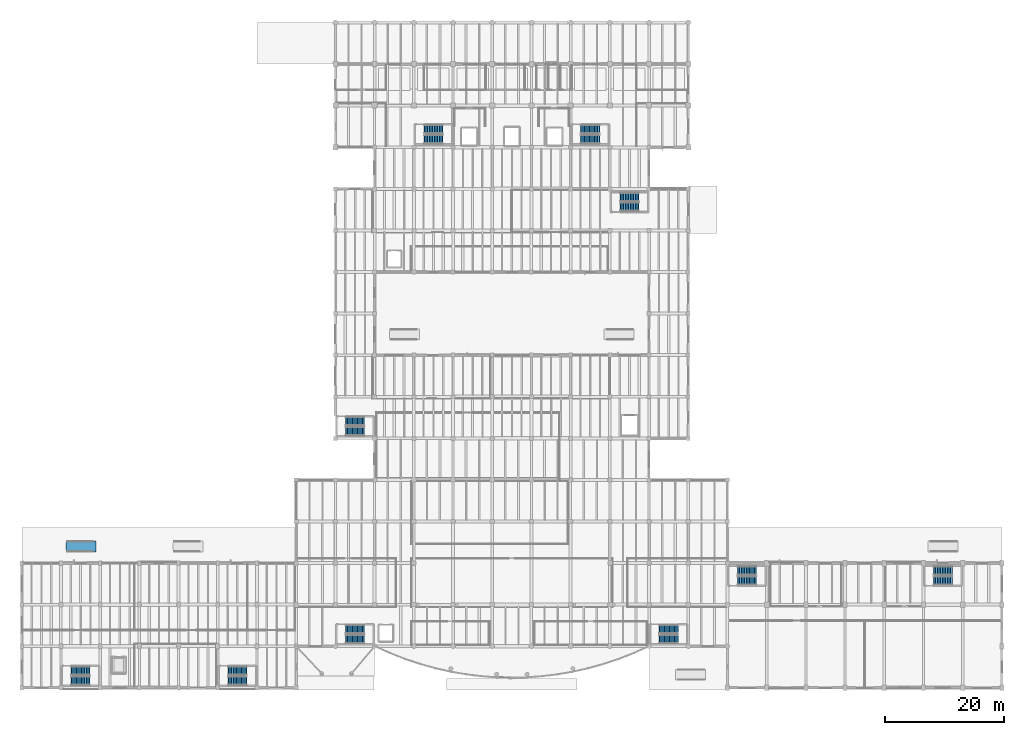
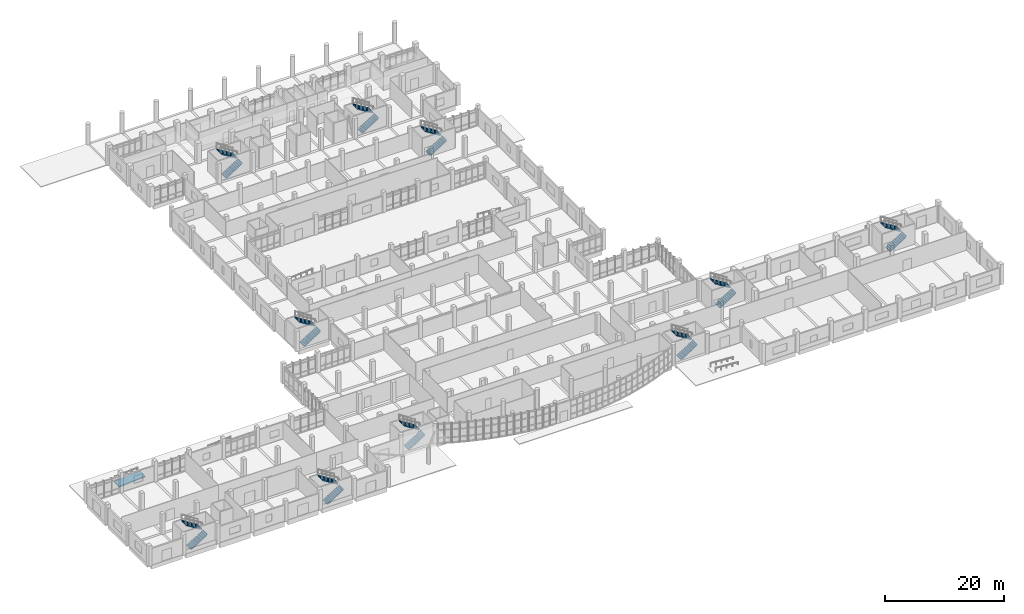
# One storey, part 53 of 69: 20 stair flights, 1 ramp flight, 11 elements without a shape of their own.
"""IFC4 building model written with IfcOpenShell, lengths in metres."""

from ifc_helpers import new_model, si_unit, direction, frame, origin, place, context, subcontext, project, spatial, polyline, outline, extrude, material, layer, layer_set, type_object, element, aggregate, save


model = new_model("IFC4")

# Units and contexts
model_context = context("Model", 3, precision=1e-05, world=origin(), true_north=direction((0.0, 1.0)))
body_context = subcontext(model_context, "Body", "Model", "MODEL_VIEW")
ifc_project = project(units=[si_unit("LENGTHUNIT", "METRE"), si_unit("AREAUNIT", "SQUARE_METRE"), si_unit("VOLUMEUNIT", "CUBIC_METRE"), si_unit("PLANEANGLEUNIT", "RADIAN"), si_unit("MASSUNIT", "GRAM", prefix="KILO")], contexts=[model_context])

# Site, building, storey
site_placement = place(None, origin())
site = spatial("IfcSite", under=ifc_project, at=site_placement, CompositionType="ELEMENT")
building_placement = place(site_placement, origin())
building = spatial("IfcBuilding", under=site, at=building_placement, Name="Ciguamira Faculty of Natural Sciences", CompositionType="ELEMENT")
storey_placement = place(building_placement, origin())
storey = spatial("IfcBuildingStorey", under=building, at=storey_placement, Name="L00", CompositionType="ELEMENT", Elevation=0.0)

# Stair, stair flights
ifc_material_1 = material(Name="Concrete C40/50", Category="concrete")
stair_type_1 = type_object("IfcStairType", Name="Stair_STR-01", PredefinedType="HALF_TURN_STAIR", material=ifc_material_1)
stair_1_placement = place(storey_placement, origin())
stair_1 = element("IfcStair", 1, at=stair_1_placement, inside=storey, type_object=stair_type_1, Name="L00 Tower West Exit Stair", PredefinedType="HALF_TURN_STAIR")
ifc_material_2 = material(Name="Precast concrete C40/50", Category="concrete")
stair_flight_type_1 = type_object("IfcStairFlightType", Name="StairFlight_SFL-01", PredefinedType="STRAIGHT", material=ifc_material_2)
stair_flight_1_placement = place(storey_placement, frame((72.260009765625, 95.35009765625, 0.0), z_axis=(0.0, 0.0, 1.0), x_axis=(1.0, 0.0, 0.0)))
stair_flight_1 = element("IfcStairFlight", 2, at=stair_flight_1_placement, type_object=stair_flight_type_1, Name="ST-T1 flight 1", NumberOfRisers=12, NumberOfTreads=11, PredefinedType="STRAIGHT", RiserHeight=0.175, TreadLength=0.28, context=body_context, shape_type="SweptSolid", body=[
    extrude(outline(polyline([(-0.080078125, -0.034912109375), (-0.080078125, 0.0), (0.0, 0.0), (0.0, 0.175048828125), (0.280029296875, 0.175048828125), (0.280029296875, 0.35009765625), (0.56005859375, 0.35009765625), (0.56005859375, 0.52490234375), (0.840087890625, 0.52490234375), (0.840087890625, 0.699951171875), (1.1201171875, 0.699951171875), (1.1201171875, 0.875), (1.39990234375, 0.875), (1.39990234375, 1.050048828125), (1.679931640625, 1.050048828125), (1.679931640625, 1.22509765625), (1.9599609375, 1.22509765625), (1.9599609375, 1.39990234375), (2.239990234375, 1.39990234375), (2.239990234375, 1.574951171875), (2.52001953125, 1.574951171875), (2.52001953125, 1.75), (2.800048828125, 1.75), (2.800048828125, 1.925048828125), (3.080078125, 1.925048828125), (3.080078125, 2.10009765625), (3.16015625, 2.10009765625), (3.16015625, 2.065185546875), (3.080078125, 1.748291015625), (0.28271484375, -0.034912109375), (-0.080078125, -0.034912109375)])), frame((0.0, 0.75, 0.0), z_axis=(0.0, -1.0, 0.0), x_axis=(1.0, 0.0, 0.0)), (0.0, 0.0, 1.0), 1.5),
])
stair_flight_2_placement = place(storey_placement, frame((75.340087890625, 97.010009765625, 2.10009765625), z_axis=(0.0, 0.0, 1.0), x_axis=(-1.0, 0.0, 0.0)))
stair_flight_2 = element("IfcStairFlight", 3, at=stair_flight_2_placement, type_object=stair_flight_type_1, Name="ST-T1 flight 2", NumberOfRisers=12, NumberOfTreads=11, PredefinedType="STRAIGHT", RiserHeight=0.175, TreadLength=0.28, context=body_context, shape_type="SweptSolid", body=[
    extrude(outline(polyline([(-0.080078125, -0.034912109375), (-0.080078125, 0.0), (0.0, 0.0), (0.0, 0.175048828125), (0.280029296875, 0.175048828125), (0.280029296875, 0.35009765625), (0.56005859375, 0.35009765625), (0.56005859375, 0.52490234375), (0.840087890625, 0.52490234375), (0.840087890625, 0.699951171875), (1.1201171875, 0.699951171875), (1.1201171875, 0.875), (1.39990234375, 0.875), (1.39990234375, 1.050048828125), (1.679931640625, 1.050048828125), (1.679931640625, 1.22509765625), (1.9599609375, 1.22509765625), (1.9599609375, 1.39990234375), (2.239990234375, 1.39990234375), (2.239990234375, 1.574951171875), (2.52001953125, 1.574951171875), (2.52001953125, 1.75), (2.800048828125, 1.75), (2.800048828125, 1.925048828125), (3.080078125, 1.925048828125), (3.080078125, 2.10009765625), (3.16015625, 2.10009765625), (3.16015625, 2.065185546875), (3.080078125, 1.748291015625), (0.28271484375, -0.034912109375), (-0.080078125, -0.034912109375)])), frame((0.0, 0.75, 0.0), z_axis=(0.0, -1.0, 0.0), x_axis=(1.0, 0.0, 0.0)), (0.0, 0.0, 1.0), 1.5),
])
aggregate(stair_1, [stair_flight_1, stair_flight_2])

stair_2_placement = place(storey_placement, origin())
stair_2 = element("IfcStair", 4, at=stair_2_placement, inside=storey, type_object=stair_type_1, Name="L00 Atrium West Exit Stair", PredefinedType="HALF_TURN_STAIR")
stair_flight_3_placement = place(storey_placement, frame((59.06005859375, 11.199951171875, 0.0), z_axis=(0.0, 0.0, 1.0), x_axis=(1.0, 0.0, 0.0)))
stair_flight_3 = element("IfcStairFlight", 5, at=stair_flight_3_placement, type_object=stair_flight_type_1, Name="ST-A1 flight 1", NumberOfRisers=12, NumberOfTreads=11, PredefinedType="STRAIGHT", RiserHeight=0.175, TreadLength=0.28, context=body_context, shape_type="SweptSolid", body=[
    extrude(outline(polyline([(-0.080078125, -0.034912109375), (-0.080078125, 0.0), (0.0, 0.0), (0.0, 0.175048828125), (0.280029296875, 0.175048828125), (0.280029296875, 0.35009765625), (0.56005859375, 0.35009765625), (0.56005859375, 0.52490234375), (0.840087890625, 0.52490234375), (0.840087890625, 0.699951171875), (1.1201171875, 0.699951171875), (1.1201171875, 0.875), (1.39990234375, 0.875), (1.39990234375, 1.050048828125), (1.679931640625, 1.050048828125), (1.679931640625, 1.22509765625), (1.9599609375, 1.22509765625), (1.9599609375, 1.39990234375), (2.239990234375, 1.39990234375), (2.239990234375, 1.574951171875), (2.52001953125, 1.574951171875), (2.52001953125, 1.75), (2.800048828125, 1.75), (2.800048828125, 1.925048828125), (3.080078125, 1.925048828125), (3.080078125, 2.10009765625), (3.16015625, 2.10009765625), (3.16015625, 2.065185546875), (3.080078125, 1.748291015625), (0.28271484375, -0.034912109375), (-0.080078125, -0.034912109375)])), frame((0.0, 0.75, 0.0), z_axis=(0.0, -1.0, 0.0), x_axis=(1.0, 0.0, 0.0)), (0.0, 0.0, 1.0), 1.5),
])
stair_flight_4_placement = place(storey_placement, frame((62.139892578125, 12.860107421875, 2.10009765625), z_axis=(0.0, 0.0, 1.0), x_axis=(-1.0, 0.0, 0.0)))
stair_flight_4 = element("IfcStairFlight", 6, at=stair_flight_4_placement, type_object=stair_flight_type_1, Name="ST-A1 flight 2", NumberOfRisers=12, NumberOfTreads=11, PredefinedType="STRAIGHT", RiserHeight=0.175, TreadLength=0.28, context=body_context, shape_type="SweptSolid", body=[
    extrude(outline(polyline([(-0.080078125, -0.034912109375), (-0.080078125, 0.0), (0.0, 0.0), (0.0, 0.175048828125), (0.280029296875, 0.175048828125), (0.280029296875, 0.35009765625), (0.56005859375, 0.35009765625), (0.56005859375, 0.52490234375), (0.840087890625, 0.52490234375), (0.840087890625, 0.699951171875), (1.1201171875, 0.699951171875), (1.1201171875, 0.875), (1.39990234375, 0.875), (1.39990234375, 1.050048828125), (1.679931640625, 1.050048828125), (1.679931640625, 1.22509765625), (1.9599609375, 1.22509765625), (1.9599609375, 1.39990234375), (2.239990234375, 1.39990234375), (2.239990234375, 1.574951171875), (2.52001953125, 1.574951171875), (2.52001953125, 1.75), (2.800048828125, 1.75), (2.800048828125, 1.925048828125), (3.080078125, 1.925048828125), (3.080078125, 2.10009765625), (3.16015625, 2.10009765625), (3.16015625, 2.065185546875), (3.080078125, 1.748291015625), (0.28271484375, -0.034912109375), (-0.080078125, -0.034912109375)])), frame((0.0, 0.75, 0.0), z_axis=(0.0, -1.0, 0.0), x_axis=(1.0, 0.0, 0.0)), (0.0, 0.0, 1.0), 1.5),
])
aggregate(stair_2, [stair_flight_3, stair_flight_4])

stair_3_placement = place(storey_placement, origin())
stair_3 = element("IfcStair", 7, at=stair_3_placement, inside=storey, type_object=stair_type_1, Name="L00 Commons West Exit Stair", PredefinedType="HALF_TURN_STAIR")
stair_flight_5_placement = place(storey_placement, frame((12.860107421875, 4.199951171875, 0.0), z_axis=(0.0, 0.0, 1.0), x_axis=(1.0, 0.0, 0.0)))
stair_flight_5 = element("IfcStairFlight", 8, at=stair_flight_5_placement, type_object=stair_flight_type_1, Name="ST-C1 flight 1", NumberOfRisers=12, NumberOfTreads=11, PredefinedType="STRAIGHT", RiserHeight=0.175, TreadLength=0.28, context=body_context, shape_type="SweptSolid", body=[
    extrude(outline(polyline([(-0.080078125, -0.034912109375), (-0.080078125, 0.0), (0.0, 0.0), (0.0, 0.175048828125), (0.280029296875, 0.175048828125), (0.280029296875, 0.35009765625), (0.56005859375, 0.35009765625), (0.56005859375, 0.52490234375), (0.840087890625, 0.52490234375), (0.840087890625, 0.699951171875), (1.1201171875, 0.699951171875), (1.1201171875, 0.875), (1.39990234375, 0.875), (1.39990234375, 1.050048828125), (1.679931640625, 1.050048828125), (1.679931640625, 1.22509765625), (1.9599609375, 1.22509765625), (1.9599609375, 1.39990234375), (2.239990234375, 1.39990234375), (2.239990234375, 1.574951171875), (2.52001953125, 1.574951171875), (2.52001953125, 1.75), (2.800048828125, 1.75), (2.800048828125, 1.925048828125), (3.080078125, 1.925048828125), (3.080078125, 2.10009765625), (3.16015625, 2.10009765625), (3.16015625, 2.065185546875), (3.080078125, 1.748291015625), (0.28271484375, -0.034912109375), (-0.080078125, -0.034912109375)])), frame((0.0, 0.75, 0.0), z_axis=(0.0, -1.0, 0.0), x_axis=(1.0, 0.0, 0.0)), (0.0, 0.0, 1.0), 1.5),
])
stair_flight_6_placement = place(storey_placement, frame((15.93994140625, 5.860107421875, 2.10009765625), z_axis=(0.0, 0.0, 1.0), x_axis=(-1.0, 0.0, 0.0)))
stair_flight_6 = element("IfcStairFlight", 9, at=stair_flight_6_placement, type_object=stair_flight_type_1, Name="ST-C1 flight 2", NumberOfRisers=12, NumberOfTreads=11, PredefinedType="STRAIGHT", RiserHeight=0.175, TreadLength=0.28, context=body_context, shape_type="SweptSolid", body=[
    extrude(outline(polyline([(-0.080078125, -0.034912109375), (-0.080078125, 0.0), (0.0, 0.0), (0.0, 0.175048828125), (0.280029296875, 0.175048828125), (0.280029296875, 0.35009765625), (0.56005859375, 0.35009765625), (0.56005859375, 0.52490234375), (0.840087890625, 0.52490234375), (0.840087890625, 0.699951171875), (1.1201171875, 0.699951171875), (1.1201171875, 0.875), (1.39990234375, 0.875), (1.39990234375, 1.050048828125), (1.679931640625, 1.050048828125), (1.679931640625, 1.22509765625), (1.9599609375, 1.22509765625), (1.9599609375, 1.39990234375), (2.239990234375, 1.39990234375), (2.239990234375, 1.574951171875), (2.52001953125, 1.574951171875), (2.52001953125, 1.75), (2.800048828125, 1.75), (2.800048828125, 1.925048828125), (3.080078125, 1.925048828125), (3.080078125, 2.10009765625), (3.16015625, 2.10009765625), (3.16015625, 2.065185546875), (3.080078125, 1.748291015625), (0.28271484375, -0.034912109375), (-0.080078125, -0.034912109375)])), frame((0.0, 0.75, 0.0), z_axis=(0.0, -1.0, 0.0), x_axis=(1.0, 0.0, 0.0)), (0.0, 0.0, 1.0), 1.5),
])
aggregate(stair_3, [stair_flight_5, stair_flight_6])

stair_4_placement = place(storey_placement, origin())
stair_4 = element("IfcStair", 10, at=stair_4_placement, inside=storey, type_object=stair_type_1, Name="L00 Wave Labs South-West Exit Stair", PredefinedType="HALF_TURN_STAIR")
stair_flight_7_placement = place(storey_placement, frame((59.06005859375, 46.199951171875, 0.0), z_axis=(0.0, 0.0, 1.0), x_axis=(1.0, 0.0, 0.0)))
stair_flight_7 = element("IfcStairFlight", 11, at=stair_flight_7_placement, type_object=stair_flight_type_1, Name="ST-W1 flight 1", NumberOfRisers=12, NumberOfTreads=11, PredefinedType="STRAIGHT", RiserHeight=0.175, TreadLength=0.28, context=body_context, shape_type="SweptSolid", body=[
    extrude(outline(polyline([(-0.080078125, -0.034912109375), (-0.080078125, 0.0), (0.0, 0.0), (0.0, 0.175048828125), (0.280029296875, 0.175048828125), (0.280029296875, 0.35009765625), (0.56005859375, 0.35009765625), (0.56005859375, 0.52490234375), (0.840087890625, 0.52490234375), (0.840087890625, 0.699951171875), (1.1201171875, 0.699951171875), (1.1201171875, 0.875), (1.39990234375, 0.875), (1.39990234375, 1.050048828125), (1.679931640625, 1.050048828125), (1.679931640625, 1.22509765625), (1.9599609375, 1.22509765625), (1.9599609375, 1.39990234375), (2.239990234375, 1.39990234375), (2.239990234375, 1.574951171875), (2.52001953125, 1.574951171875), (2.52001953125, 1.75), (2.800048828125, 1.75), (2.800048828125, 1.925048828125), (3.080078125, 1.925048828125), (3.080078125, 2.10009765625), (3.16015625, 2.10009765625), (3.16015625, 2.065185546875), (3.080078125, 1.748291015625), (0.28271484375, -0.034912109375), (-0.080078125, -0.034912109375)])), frame((0.0, 0.75, 0.0), z_axis=(0.0, -1.0, 0.0), x_axis=(1.0, 0.0, 0.0)), (0.0, 0.0, 1.0), 1.5),
])
stair_flight_8_placement = place(storey_placement, frame((62.139892578125, 47.860107421875, 2.10009765625), z_axis=(0.0, 0.0, 1.0), x_axis=(-1.0, 0.0, 0.0)))
stair_flight_8 = element("IfcStairFlight", 12, at=stair_flight_8_placement, type_object=stair_flight_type_1, Name="ST-W1 flight 2", NumberOfRisers=12, NumberOfTreads=11, PredefinedType="STRAIGHT", RiserHeight=0.175, TreadLength=0.28, context=body_context, shape_type="SweptSolid", body=[
    extrude(outline(polyline([(-0.080078125, -0.034912109375), (-0.080078125, 0.0), (0.0, 0.0), (0.0, 0.175048828125), (0.280029296875, 0.175048828125), (0.280029296875, 0.35009765625), (0.56005859375, 0.35009765625), (0.56005859375, 0.52490234375), (0.840087890625, 0.52490234375), (0.840087890625, 0.699951171875), (1.1201171875, 0.699951171875), (1.1201171875, 0.875), (1.39990234375, 0.875), (1.39990234375, 1.050048828125), (1.679931640625, 1.050048828125), (1.679931640625, 1.22509765625), (1.9599609375, 1.22509765625), (1.9599609375, 1.39990234375), (2.239990234375, 1.39990234375), (2.239990234375, 1.574951171875), (2.52001953125, 1.574951171875), (2.52001953125, 1.75), (2.800048828125, 1.75), (2.800048828125, 1.925048828125), (3.080078125, 1.925048828125), (3.080078125, 2.10009765625), (3.16015625, 2.10009765625), (3.16015625, 2.065185546875), (3.080078125, 1.748291015625), (0.28271484375, -0.034912109375), (-0.080078125, -0.034912109375)])), frame((0.0, 0.75, 0.0), z_axis=(0.0, -1.0, 0.0), x_axis=(1.0, 0.0, 0.0)), (0.0, 0.0, 1.0), 1.5),
])
aggregate(stair_4, [stair_flight_7, stair_flight_8])

stair_5_placement = place(storey_placement, origin())
stair_5 = element("IfcStair", 13, at=stair_5_placement, inside=storey, type_object=stair_type_1, Name="L00 Lecture Pavilion West Stair", PredefinedType="HALF_TURN_STAIR")
stair_flight_9_placement = place(storey_placement, frame((125.06005859375, 21.050048828125, 0.0), z_axis=(0.0, 0.0, 1.0), x_axis=(1.0, 0.0, 0.0)))
stair_flight_9 = element("IfcStairFlight", 14, at=stair_flight_9_placement, type_object=stair_flight_type_1, Name="ST-L1 flight 1", NumberOfRisers=12, NumberOfTreads=11, PredefinedType="STRAIGHT", RiserHeight=0.175, TreadLength=0.28, context=body_context, shape_type="SweptSolid", body=[
    extrude(outline(polyline([(-0.080078125, -0.034912109375), (-0.080078125, 0.0), (0.0, 0.0), (0.0, 0.175048828125), (0.280029296875, 0.175048828125), (0.280029296875, 0.35009765625), (0.56005859375, 0.35009765625), (0.56005859375, 0.52490234375), (0.840087890625, 0.52490234375), (0.840087890625, 0.699951171875), (1.1201171875, 0.699951171875), (1.1201171875, 0.875), (1.39990234375, 0.875), (1.39990234375, 1.050048828125), (1.679931640625, 1.050048828125), (1.679931640625, 1.22509765625), (1.9599609375, 1.22509765625), (1.9599609375, 1.39990234375), (2.239990234375, 1.39990234375), (2.239990234375, 1.574951171875), (2.52001953125, 1.574951171875), (2.52001953125, 1.75), (2.800048828125, 1.75), (2.800048828125, 1.925048828125), (3.080078125, 1.925048828125), (3.080078125, 2.10009765625), (3.16015625, 2.10009765625), (3.16015625, 2.065185546875), (3.080078125, 1.748291015625), (0.28271484375, -0.034912109375), (-0.080078125, -0.034912109375)])), frame((0.0, 0.75, 0.0), z_axis=(0.0, -1.0, 0.0), x_axis=(1.0, 0.0, 0.0)), (0.0, 0.0, 1.0), 1.5),
])
stair_flight_10_placement = place(storey_placement, frame((128.139892578125, 22.7099609375, 2.10009765625), z_axis=(0.0, 0.0, 1.0), x_axis=(-1.0, 0.0, 0.0)))
stair_flight_10 = element("IfcStairFlight", 15, at=stair_flight_10_placement, type_object=stair_flight_type_1, Name="ST-L1 flight 2", NumberOfRisers=12, NumberOfTreads=11, PredefinedType="STRAIGHT", RiserHeight=0.175, TreadLength=0.28, context=body_context, shape_type="SweptSolid", body=[
    extrude(outline(polyline([(-0.080078125, -0.034912109375), (-0.080078125, 0.0), (0.0, 0.0), (0.0, 0.175048828125), (0.280029296875, 0.175048828125), (0.280029296875, 0.35009765625), (0.56005859375, 0.35009765625), (0.56005859375, 0.52490234375), (0.840087890625, 0.52490234375), (0.840087890625, 0.699951171875), (1.1201171875, 0.699951171875), (1.1201171875, 0.875), (1.39990234375, 0.875), (1.39990234375, 1.050048828125), (1.679931640625, 1.050048828125), (1.679931640625, 1.22509765625), (1.9599609375, 1.22509765625), (1.9599609375, 1.39990234375), (2.239990234375, 1.39990234375), (2.239990234375, 1.574951171875), (2.52001953125, 1.574951171875), (2.52001953125, 1.75), (2.800048828125, 1.75), (2.800048828125, 1.925048828125), (3.080078125, 1.925048828125), (3.080078125, 2.10009765625), (3.16015625, 2.10009765625), (3.16015625, 2.065185546875), (3.080078125, 1.748291015625), (0.28271484375, -0.034912109375), (-0.080078125, -0.034912109375)])), frame((0.0, 0.75, 0.0), z_axis=(0.0, -1.0, 0.0), x_axis=(1.0, 0.0, 0.0)), (0.0, 0.0, 1.0), 1.5),
])
aggregate(stair_5, [stair_flight_9, stair_flight_10])

stair_type_2 = type_object("IfcStairType", Name="Stair_STR-02", PredefinedType="HALF_TURN_STAIR", material=ifc_material_1)
stair_6_placement = place(storey_placement, origin())
stair_6 = element("IfcStair", 16, at=stair_6_placement, inside=storey, type_object=stair_type_2, Name="L00 Tower East Exit Stair", PredefinedType="HALF_TURN_STAIR")
stair_flight_type_2 = type_object("IfcStairFlightType", Name="StairFlight_SFL-02", PredefinedType="STRAIGHT", material=ifc_material_2)
stair_flight_11_placement = place(storey_placement, frame((98.659912109375, 95.35009765625, 0.0), z_axis=(0.0, 0.0, 1.0), x_axis=(1.0, 0.0, 0.0)))
stair_flight_11 = element("IfcStairFlight", 17, at=stair_flight_11_placement, type_object=stair_flight_type_2, Name="ST-T2 flight 1", NumberOfRisers=12, NumberOfTreads=11, PredefinedType="STRAIGHT", RiserHeight=0.175, TreadLength=0.28, context=body_context, shape_type="SweptSolid", body=[
    extrude(outline(polyline([(-0.080078125, -0.034912109375), (-0.080078125, 0.0), (0.0, 0.0), (0.0, 0.175048828125), (0.280029296875, 0.175048828125), (0.280029296875, 0.35009765625), (0.56005859375, 0.35009765625), (0.56005859375, 0.52490234375), (0.840087890625, 0.52490234375), (0.840087890625, 0.699951171875), (1.1201171875, 0.699951171875), (1.1201171875, 0.875), (1.39990234375, 0.875), (1.39990234375, 1.050048828125), (1.679931640625, 1.050048828125), (1.679931640625, 1.22509765625), (1.9599609375, 1.22509765625), (1.9599609375, 1.39990234375), (2.239990234375, 1.39990234375), (2.239990234375, 1.574951171875), (2.52001953125, 1.574951171875), (2.52001953125, 1.75), (2.800048828125, 1.75), (2.800048828125, 1.925048828125), (3.080078125, 1.925048828125), (3.080078125, 2.10009765625), (3.16015625, 2.10009765625), (3.16015625, 2.065185546875), (3.080078125, 1.748291015625), (0.28271484375, -0.034912109375), (-0.080078125, -0.034912109375)])), frame((0.0, 0.75, 0.0), z_axis=(0.0, -1.0, 0.0), x_axis=(1.0, 0.0, 0.0)), (0.0, 0.0, 1.0), 1.5),
])
stair_flight_12_placement = place(storey_placement, frame((101.739990234375, 97.010009765625, 2.10009765625), z_axis=(0.0, 0.0, 1.0), x_axis=(-1.0, 0.0, 0.0)))
stair_flight_12 = element("IfcStairFlight", 18, at=stair_flight_12_placement, type_object=stair_flight_type_2, Name="ST-T2 flight 2", NumberOfRisers=12, NumberOfTreads=11, PredefinedType="STRAIGHT", RiserHeight=0.175, TreadLength=0.28, context=body_context, shape_type="SweptSolid", body=[
    extrude(outline(polyline([(-0.080078125, -0.034912109375), (-0.080078125, 0.0), (0.0, 0.0), (0.0, 0.175048828125), (0.280029296875, 0.175048828125), (0.280029296875, 0.35009765625), (0.56005859375, 0.35009765625), (0.56005859375, 0.52490234375), (0.840087890625, 0.52490234375), (0.840087890625, 0.699951171875), (1.1201171875, 0.699951171875), (1.1201171875, 0.875), (1.39990234375, 0.875), (1.39990234375, 1.050048828125), (1.679931640625, 1.050048828125), (1.679931640625, 1.22509765625), (1.9599609375, 1.22509765625), (1.9599609375, 1.39990234375), (2.239990234375, 1.39990234375), (2.239990234375, 1.574951171875), (2.52001953125, 1.574951171875), (2.52001953125, 1.75), (2.800048828125, 1.75), (2.800048828125, 1.925048828125), (3.080078125, 1.925048828125), (3.080078125, 2.10009765625), (3.16015625, 2.10009765625), (3.16015625, 2.065185546875), (3.080078125, 1.748291015625), (0.28271484375, -0.034912109375), (-0.080078125, -0.034912109375)])), frame((0.0, 0.75, 0.0), z_axis=(0.0, -1.0, 0.0), x_axis=(1.0, 0.0, 0.0)), (0.0, 0.0, 1.0), 1.5),
])
aggregate(stair_6, [stair_flight_11, stair_flight_12])

stair_7_placement = place(storey_placement, origin())
stair_7 = element("IfcStair", 19, at=stair_7_placement, inside=storey, type_object=stair_type_2, Name="L00 Atrium East Exit Stair", PredefinedType="HALF_TURN_STAIR")
stair_flight_13_placement = place(storey_placement, frame((111.860107421875, 11.199951171875, 0.0), z_axis=(0.0, 0.0, 1.0), x_axis=(1.0, 0.0, 0.0)))
stair_flight_13 = element("IfcStairFlight", 20, at=stair_flight_13_placement, type_object=stair_flight_type_2, Name="ST-A2 flight 1", NumberOfRisers=12, NumberOfTreads=11, PredefinedType="STRAIGHT", RiserHeight=0.175, TreadLength=0.28, context=body_context, shape_type="SweptSolid", body=[
    extrude(outline(polyline([(-0.080078125, -0.034912109375), (-0.080078125, 0.0), (0.0, 0.0), (0.0, 0.175048828125), (0.280029296875, 0.175048828125), (0.280029296875, 0.35009765625), (0.56005859375, 0.35009765625), (0.56005859375, 0.52490234375), (0.840087890625, 0.52490234375), (0.840087890625, 0.699951171875), (1.1201171875, 0.699951171875), (1.1201171875, 0.875), (1.39990234375, 0.875), (1.39990234375, 1.050048828125), (1.679931640625, 1.050048828125), (1.679931640625, 1.22509765625), (1.9599609375, 1.22509765625), (1.9599609375, 1.39990234375), (2.239990234375, 1.39990234375), (2.239990234375, 1.574951171875), (2.52001953125, 1.574951171875), (2.52001953125, 1.75), (2.800048828125, 1.75), (2.800048828125, 1.925048828125), (3.080078125, 1.925048828125), (3.080078125, 2.10009765625), (3.16015625, 2.10009765625), (3.16015625, 2.065185546875), (3.080078125, 1.748291015625), (0.28271484375, -0.034912109375), (-0.080078125, -0.034912109375)])), frame((0.0, 0.75, 0.0), z_axis=(0.0, -1.0, 0.0), x_axis=(1.0, 0.0, 0.0)), (0.0, 0.0, 1.0), 1.5),
])
stair_flight_14_placement = place(storey_placement, frame((114.93994140625, 12.860107421875, 2.10009765625), z_axis=(0.0, 0.0, 1.0), x_axis=(-1.0, 0.0, 0.0)))
stair_flight_14 = element("IfcStairFlight", 21, at=stair_flight_14_placement, type_object=stair_flight_type_2, Name="ST-A2 flight 2", NumberOfRisers=12, NumberOfTreads=11, PredefinedType="STRAIGHT", RiserHeight=0.175, TreadLength=0.28, context=body_context, shape_type="SweptSolid", body=[
    extrude(outline(polyline([(-0.080078125, -0.034912109375), (-0.080078125, 0.0), (0.0, 0.0), (0.0, 0.175048828125), (0.280029296875, 0.175048828125), (0.280029296875, 0.35009765625), (0.56005859375, 0.35009765625), (0.56005859375, 0.52490234375), (0.840087890625, 0.52490234375), (0.840087890625, 0.699951171875), (1.1201171875, 0.699951171875), (1.1201171875, 0.875), (1.39990234375, 0.875), (1.39990234375, 1.050048828125), (1.679931640625, 1.050048828125), (1.679931640625, 1.22509765625), (1.9599609375, 1.22509765625), (1.9599609375, 1.39990234375), (2.239990234375, 1.39990234375), (2.239990234375, 1.574951171875), (2.52001953125, 1.574951171875), (2.52001953125, 1.75), (2.800048828125, 1.75), (2.800048828125, 1.925048828125), (3.080078125, 1.925048828125), (3.080078125, 2.10009765625), (3.16015625, 2.10009765625), (3.16015625, 2.065185546875), (3.080078125, 1.748291015625), (0.28271484375, -0.034912109375), (-0.080078125, -0.034912109375)])), frame((0.0, 0.75, 0.0), z_axis=(0.0, -1.0, 0.0), x_axis=(1.0, 0.0, 0.0)), (0.0, 0.0, 1.0), 1.5),
])
aggregate(stair_7, [stair_flight_13, stair_flight_14])

stair_8_placement = place(storey_placement, origin())
stair_8 = element("IfcStair", 22, at=stair_8_placement, inside=storey, type_object=stair_type_2, Name="L00 Commons East Exit Stair", PredefinedType="HALF_TURN_STAIR")
stair_flight_15_placement = place(storey_placement, frame((39.260009765625, 4.199951171875, 0.0), z_axis=(0.0, 0.0, 1.0), x_axis=(1.0, 0.0, 0.0)))
stair_flight_15 = element("IfcStairFlight", 23, at=stair_flight_15_placement, type_object=stair_flight_type_2, Name="ST-C2 flight 1", NumberOfRisers=12, NumberOfTreads=11, PredefinedType="STRAIGHT", RiserHeight=0.175, TreadLength=0.28, context=body_context, shape_type="SweptSolid", body=[
    extrude(outline(polyline([(-0.080078125, -0.034912109375), (-0.080078125, 0.0), (0.0, 0.0), (0.0, 0.175048828125), (0.280029296875, 0.175048828125), (0.280029296875, 0.35009765625), (0.56005859375, 0.35009765625), (0.56005859375, 0.52490234375), (0.840087890625, 0.52490234375), (0.840087890625, 0.699951171875), (1.1201171875, 0.699951171875), (1.1201171875, 0.875), (1.39990234375, 0.875), (1.39990234375, 1.050048828125), (1.679931640625, 1.050048828125), (1.679931640625, 1.22509765625), (1.9599609375, 1.22509765625), (1.9599609375, 1.39990234375), (2.239990234375, 1.39990234375), (2.239990234375, 1.574951171875), (2.52001953125, 1.574951171875), (2.52001953125, 1.75), (2.800048828125, 1.75), (2.800048828125, 1.925048828125), (3.080078125, 1.925048828125), (3.080078125, 2.10009765625), (3.16015625, 2.10009765625), (3.16015625, 2.065185546875), (3.080078125, 1.748291015625), (0.28271484375, -0.034912109375), (-0.080078125, -0.034912109375)])), frame((0.0, 0.75, 0.0), z_axis=(0.0, -1.0, 0.0), x_axis=(1.0, 0.0, 0.0)), (0.0, 0.0, 1.0), 1.5),
])
stair_flight_16_placement = place(storey_placement, frame((42.340087890625, 5.860107421875, 2.10009765625), z_axis=(0.0, 0.0, 1.0), x_axis=(-1.0, 0.0, 0.0)))
stair_flight_16 = element("IfcStairFlight", 24, at=stair_flight_16_placement, type_object=stair_flight_type_2, Name="ST-C2 flight 2", NumberOfRisers=12, NumberOfTreads=11, PredefinedType="STRAIGHT", RiserHeight=0.175, TreadLength=0.28, context=body_context, shape_type="SweptSolid", body=[
    extrude(outline(polyline([(-0.080078125, -0.034912109375), (-0.080078125, 0.0), (0.0, 0.0), (0.0, 0.175048828125), (0.280029296875, 0.175048828125), (0.280029296875, 0.35009765625), (0.56005859375, 0.35009765625), (0.56005859375, 0.52490234375), (0.840087890625, 0.52490234375), (0.840087890625, 0.699951171875), (1.1201171875, 0.699951171875), (1.1201171875, 0.875), (1.39990234375, 0.875), (1.39990234375, 1.050048828125), (1.679931640625, 1.050048828125), (1.679931640625, 1.22509765625), (1.9599609375, 1.22509765625), (1.9599609375, 1.39990234375), (2.239990234375, 1.39990234375), (2.239990234375, 1.574951171875), (2.52001953125, 1.574951171875), (2.52001953125, 1.75), (2.800048828125, 1.75), (2.800048828125, 1.925048828125), (3.080078125, 1.925048828125), (3.080078125, 2.10009765625), (3.16015625, 2.10009765625), (3.16015625, 2.065185546875), (3.080078125, 1.748291015625), (0.28271484375, -0.034912109375), (-0.080078125, -0.034912109375)])), frame((0.0, 0.75, 0.0), z_axis=(0.0, -1.0, 0.0), x_axis=(1.0, 0.0, 0.0)), (0.0, 0.0, 1.0), 1.5),
])
aggregate(stair_8, [stair_flight_15, stair_flight_16])

stair_9_placement = place(storey_placement, origin())
stair_9 = element("IfcStair", 25, at=stair_9_placement, inside=storey, type_object=stair_type_2, Name="L00 Wave Labs North-East Exit Stair", PredefinedType="HALF_TURN_STAIR")
stair_flight_17_placement = place(storey_placement, frame((105.260009765625, 83.949951171875, 0.0), z_axis=(0.0, 0.0, 1.0), x_axis=(1.0, 0.0, 0.0)))
stair_flight_17 = element("IfcStairFlight", 26, at=stair_flight_17_placement, type_object=stair_flight_type_2, Name="ST-W2 flight 1", NumberOfRisers=12, NumberOfTreads=11, PredefinedType="STRAIGHT", RiserHeight=0.175, TreadLength=0.28, context=body_context, shape_type="SweptSolid", body=[
    extrude(outline(polyline([(-0.080078125, -0.034912109375), (-0.080078125, 0.0), (0.0, 0.0), (0.0, 0.175048828125), (0.280029296875, 0.175048828125), (0.280029296875, 0.35009765625), (0.56005859375, 0.35009765625), (0.56005859375, 0.52490234375), (0.840087890625, 0.52490234375), (0.840087890625, 0.699951171875), (1.1201171875, 0.699951171875), (1.1201171875, 0.875), (1.39990234375, 0.875), (1.39990234375, 1.050048828125), (1.679931640625, 1.050048828125), (1.679931640625, 1.22509765625), (1.9599609375, 1.22509765625), (1.9599609375, 1.39990234375), (2.239990234375, 1.39990234375), (2.239990234375, 1.574951171875), (2.52001953125, 1.574951171875), (2.52001953125, 1.75), (2.800048828125, 1.75), (2.800048828125, 1.925048828125), (3.080078125, 1.925048828125), (3.080078125, 2.10009765625), (3.16015625, 2.10009765625), (3.16015625, 2.065185546875), (3.080078125, 1.748291015625), (0.28271484375, -0.034912109375), (-0.080078125, -0.034912109375)])), frame((0.0, 0.75, 0.0), z_axis=(0.0, -1.0, 0.0), x_axis=(1.0, 0.0, 0.0)), (0.0, 0.0, 1.0), 1.5),
])
stair_flight_18_placement = place(storey_placement, frame((108.340087890625, 85.610107421875, 2.10009765625), z_axis=(0.0, 0.0, 1.0), x_axis=(-1.0, 0.0, 0.0)))
stair_flight_18 = element("IfcStairFlight", 27, at=stair_flight_18_placement, type_object=stair_flight_type_2, Name="ST-W2 flight 2", NumberOfRisers=12, NumberOfTreads=11, PredefinedType="STRAIGHT", RiserHeight=0.175, TreadLength=0.28, context=body_context, shape_type="SweptSolid", body=[
    extrude(outline(polyline([(-0.080078125, -0.034912109375), (-0.080078125, 0.0), (0.0, 0.0), (0.0, 0.175048828125), (0.280029296875, 0.175048828125), (0.280029296875, 0.35009765625), (0.56005859375, 0.35009765625), (0.56005859375, 0.52490234375), (0.840087890625, 0.52490234375), (0.840087890625, 0.699951171875), (1.1201171875, 0.699951171875), (1.1201171875, 0.875), (1.39990234375, 0.875), (1.39990234375, 1.050048828125), (1.679931640625, 1.050048828125), (1.679931640625, 1.22509765625), (1.9599609375, 1.22509765625), (1.9599609375, 1.39990234375), (2.239990234375, 1.39990234375), (2.239990234375, 1.574951171875), (2.52001953125, 1.574951171875), (2.52001953125, 1.75), (2.800048828125, 1.75), (2.800048828125, 1.925048828125), (3.080078125, 1.925048828125), (3.080078125, 2.10009765625), (3.16015625, 2.10009765625), (3.16015625, 2.065185546875), (3.080078125, 1.748291015625), (0.28271484375, -0.034912109375), (-0.080078125, -0.034912109375)])), frame((0.0, 0.75, 0.0), z_axis=(0.0, -1.0, 0.0), x_axis=(1.0, 0.0, 0.0)), (0.0, 0.0, 1.0), 1.5),
])
aggregate(stair_9, [stair_flight_17, stair_flight_18])

stair_10_placement = place(storey_placement, origin())
stair_10 = element("IfcStair", 28, at=stair_10_placement, inside=storey, type_object=stair_type_2, Name="L00 Lecture Pavilion East Stair", PredefinedType="HALF_TURN_STAIR")
stair_flight_19_placement = place(storey_placement, frame((158.06005859375, 21.050048828125, 0.0), z_axis=(0.0, 0.0, 1.0), x_axis=(1.0, 0.0, 0.0)))
stair_flight_19 = element("IfcStairFlight", 29, at=stair_flight_19_placement, type_object=stair_flight_type_2, Name="ST-L2 flight 1", NumberOfRisers=12, NumberOfTreads=11, PredefinedType="STRAIGHT", RiserHeight=0.175, TreadLength=0.28, context=body_context, shape_type="SweptSolid", body=[
    extrude(outline(polyline([(-0.080078125, -0.034912109375), (-0.080078125, 0.0), (0.0, 0.0), (0.0, 0.175048828125), (0.280029296875, 0.175048828125), (0.280029296875, 0.35009765625), (0.56005859375, 0.35009765625), (0.56005859375, 0.52490234375), (0.840087890625, 0.52490234375), (0.840087890625, 0.699951171875), (1.1201171875, 0.699951171875), (1.1201171875, 0.875), (1.39990234375, 0.875), (1.39990234375, 1.050048828125), (1.679931640625, 1.050048828125), (1.679931640625, 1.22509765625), (1.9599609375, 1.22509765625), (1.9599609375, 1.39990234375), (2.239990234375, 1.39990234375), (2.239990234375, 1.574951171875), (2.52001953125, 1.574951171875), (2.52001953125, 1.75), (2.800048828125, 1.75), (2.800048828125, 1.925048828125), (3.080078125, 1.925048828125), (3.080078125, 2.10009765625), (3.16015625, 2.10009765625), (3.16015625, 2.065185546875), (3.080078125, 1.748291015625), (0.28271484375, -0.034912109375), (-0.080078125, -0.034912109375)])), frame((0.0, 0.75, 0.0), z_axis=(0.0, -1.0, 0.0), x_axis=(1.0, 0.0, 0.0)), (0.0, 0.0, 1.0), 1.5),
])
stair_flight_20_placement = place(storey_placement, frame((161.139892578125, 22.7099609375, 2.10009765625), z_axis=(0.0, 0.0, 1.0), x_axis=(-1.0, 0.0, 0.0)))
stair_flight_20 = element("IfcStairFlight", 30, at=stair_flight_20_placement, type_object=stair_flight_type_2, Name="ST-L2 flight 2", NumberOfRisers=12, NumberOfTreads=11, PredefinedType="STRAIGHT", RiserHeight=0.175, TreadLength=0.28, context=body_context, shape_type="SweptSolid", body=[
    extrude(outline(polyline([(-0.080078125, -0.034912109375), (-0.080078125, 0.0), (0.0, 0.0), (0.0, 0.175048828125), (0.280029296875, 0.175048828125), (0.280029296875, 0.35009765625), (0.56005859375, 0.35009765625), (0.56005859375, 0.52490234375), (0.840087890625, 0.52490234375), (0.840087890625, 0.699951171875), (1.1201171875, 0.699951171875), (1.1201171875, 0.875), (1.39990234375, 0.875), (1.39990234375, 1.050048828125), (1.679931640625, 1.050048828125), (1.679931640625, 1.22509765625), (1.9599609375, 1.22509765625), (1.9599609375, 1.39990234375), (2.239990234375, 1.39990234375), (2.239990234375, 1.574951171875), (2.52001953125, 1.574951171875), (2.52001953125, 1.75), (2.800048828125, 1.75), (2.800048828125, 1.925048828125), (3.080078125, 1.925048828125), (3.080078125, 2.10009765625), (3.16015625, 2.10009765625), (3.16015625, 2.065185546875), (3.080078125, 1.748291015625), (0.28271484375, -0.034912109375), (-0.080078125, -0.034912109375)])), frame((0.0, 0.75, 0.0), z_axis=(0.0, -1.0, 0.0), x_axis=(1.0, 0.0, 0.0)), (0.0, 0.0, 1.0), 1.5),
])
aggregate(stair_10, [stair_flight_19, stair_flight_20])

# Ramp, ramp flight
ifc_material_3 = material(Name="Concrete C35/45", Category="concrete")
ramp_type = type_object("IfcRampType", Name="Ramp_RMP01", PredefinedType="STRAIGHT_RUN_RAMP", material=ifc_material_3)
ramp_placement = place(storey_placement, origin())
ramp = element("IfcRamp", 31, at=ramp_placement, inside=storey, type_object=ramp_type, Name="West Commons Promenade Accessible Ramp", PredefinedType="STRAIGHT_RUN_RAMP")
ifc_layer = layer(ifc_material_3, 0.199951171875, Name="Concrete C35/45")
ifc_layer_set = layer_set([ifc_layer], Name="Concrete C35/45")
ramp_flight_type = type_object("IfcRampFlightType", Name="RampFlight_RMF01", PredefinedType="STRAIGHT", material=ifc_layer_set)
ramp_flight_placement = place(storey_placement, frame((12.0, 26.800048828125, -0.35009765625), z_axis=(0.0, 0.0, 1.0), x_axis=(1.0, 0.0, 0.0)))
ramp_flight = element("IfcRampFlight", 32, at=ramp_flight_placement, type_object=ramp_flight_type, Name="West Commons Promenade Accessible Ramp flight", PredefinedType="STRAIGHT", context=body_context, shape_type="SweptSolid", body=[
    extrude(outline(polyline([(-0.080078125, -0.199951171875), (-0.080078125, 0.0), (0.0, 0.0), (4.89990234375, 0.35009765625), (4.97998046875, 0.35009765625), (4.97998046875, 0.150146484375), (4.89990234375, 0.150146484375), (0.0, -0.199951171875), (-0.080078125, -0.199951171875)])), frame((0.0, 0.89990234375, 0.0), z_axis=(0.0, -1.0, 0.0), x_axis=(1.0, 0.0, 0.0)), (0.0, 0.0, 1.0), 1.800048828125),
])
aggregate(ramp, [ramp_flight])

save(model, "model.ifc")
